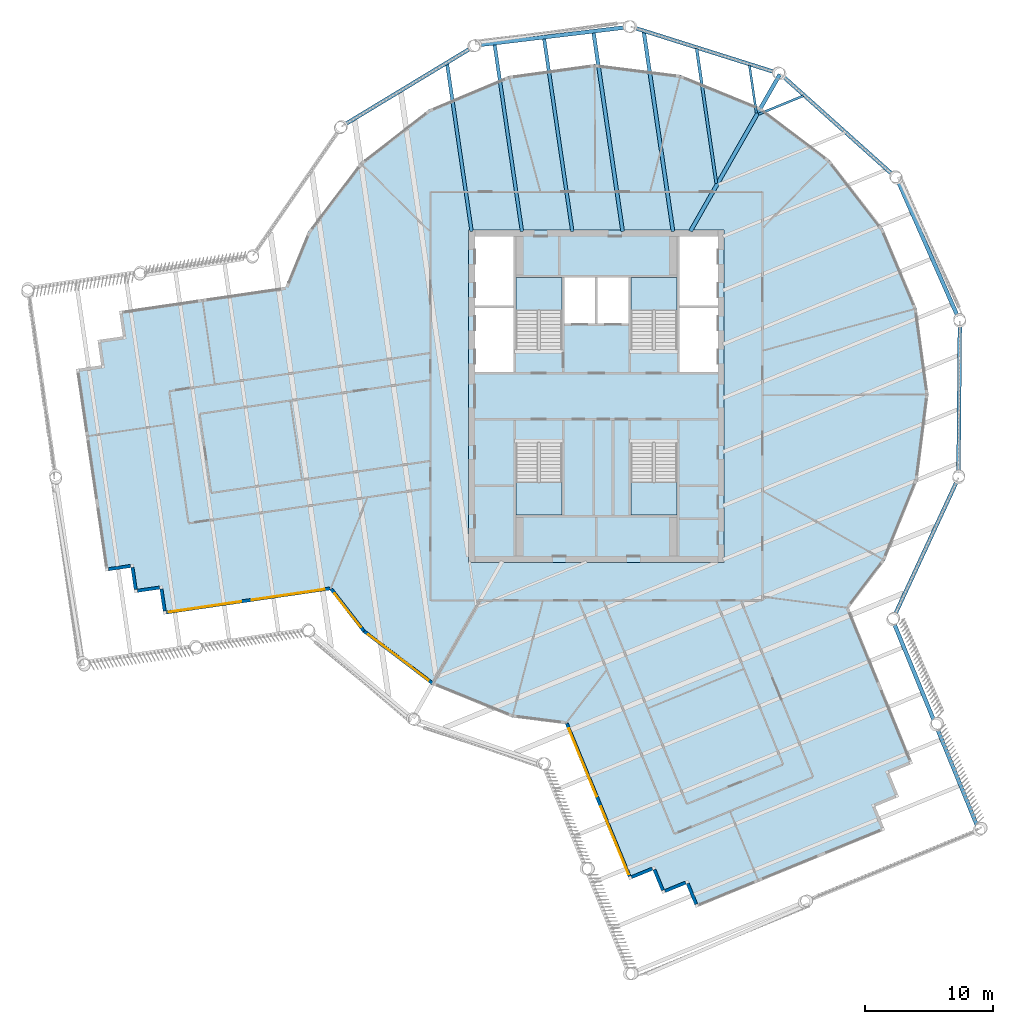
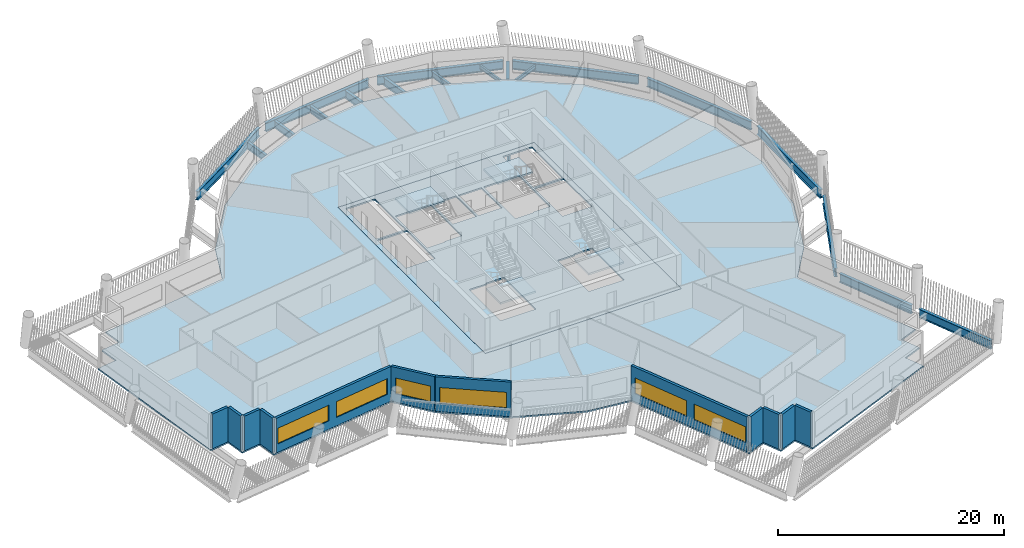
# One storey, part 2 of 15: 18 beams, 12 walls, 6 slabs, 6 windows, 6 openings, 4 elements without a shape of their own.
"""IFC4 building model written with IfcOpenShell, lengths in metres."""

from ifc_helpers import new_model, si_unit, direction, frame, frame_2d, origin, origin_2d, place, context, subcontext, project, spatial, polyline, rectangle, i_section, outline, extrude, material, layer, layer_set, material_profile, profile_set, type_object, element, fill, aggregate, save


model = new_model("IFC4")

# Units and contexts
model_context = context("Model", 3, precision=1e-05, world=origin(), true_north=direction((0.0, 1.0)))
body_context = subcontext(model_context, "Body", "Model", "MODEL_VIEW")
ifc_project = project(units=[si_unit("LENGTHUNIT", "METRE"), si_unit("AREAUNIT", "SQUARE_METRE"), si_unit("VOLUMEUNIT", "CUBIC_METRE"), si_unit("PLANEANGLEUNIT", "RADIAN"), si_unit("MASSUNIT", "GRAM", prefix="KILO")], contexts=[model_context])

# Site, building, storey
site_placement = place(None, origin())
site = spatial("IfcSite", under=ifc_project, at=site_placement, CompositionType="ELEMENT")
building_placement = place(site_placement, origin())
building = spatial("IfcBuilding", under=site, at=building_placement, Name="Tarsis Ring Headquarters", CompositionType="ELEMENT")
storey_placement = place(building_placement, frame((0.0, 0.0, 319.699951171875)))
storey = spatial("IfcBuildingStorey", under=building, at=storey_placement, Name="L75", CompositionType="ELEMENT", Elevation=319.699951171875)

# Beams
ifc_material_1 = material(Name="Structural steel S355", Category="steel")
ifc_material_profile_1 = material_profile(ifc_material_1, i_section(OverallWidth=0.177734375, OverallDepth=0.406494140625, WebThickness=0.0078125, FlangeThickness=0.0126953125, at=origin_2d()), Name="W16x40")
ifc_profile_set_1 = profile_set([ifc_material_profile_1], Name="Structural steel S355")
beam_type_1 = type_object("IfcBeamType", Name="FB Floor beam W16x40", PredefinedType="JOIST", material=ifc_profile_set_1)
beam_1_placement = place(storey_placement, frame((12.686767578125, 22.07177734375, -0.363037109375), z_axis=(0.925066917431, 0.379804157791, 0.0), x_axis=(-0.379804157791, 0.925066917431, 0.0)))
element("IfcBeam", 1, at=beam_1_placement, inside=storey, type_object=beam_type_1, Name="Floor beam FB1", PredefinedType="JOIST", context=body_context, shape_type="SweptSolid", body=[
    extrude(i_section(OverallWidth=0.177734375, OverallDepth=0.406494140625, WebThickness=0.0078125, FlangeThickness=0.0126953125, at=origin_2d()), origin(), (0.0, 0.0, 1.0), 3.805419921875),
])
beam_2_placement = place(storey_placement, frame((11.973876953125, 25.929443359375, -0.363037109375), z_axis=(0.144744025816, -0.989469133925, 0.0), x_axis=(0.989469133925, 0.144744025816, 0.0)))
element("IfcBeam", 2, at=beam_2_placement, inside=storey, type_object=beam_type_1, Name="Floor beam FB1", PredefinedType="JOIST", context=body_context, shape_type="SweptSolid", body=[
    extrude(i_section(OverallWidth=0.177734375, OverallDepth=0.406494140625, WebThickness=0.0078125, FlangeThickness=0.0126953125, at=origin_2d()), origin(), (0.0, 0.0, 1.0), 3.80517578125),
])
ifc_material_profile_2 = material_profile(ifc_material_1, i_section(OverallWidth=0.228271484375, OverallDepth=0.607177734375, WebThickness=0.01123046875, FlangeThickness=0.017333984375, at=origin_2d()), Name="W24x76")
ifc_profile_set_2 = profile_set([ifc_material_profile_2], Name="Structural steel S355")
beam_type_2 = type_object("IfcBeamType", Name="FB Floor beam W24x76", PredefinedType="JOIST", material=ifc_profile_set_2)
beam_3_placement = place(storey_placement, frame((7.841796875, 27.233154296875, -0.463623046875), z_axis=(0.144705878461, -0.989474713542, 0.0), x_axis=(0.989474713542, 0.144705878461, 0.0)))
element("IfcBeam", 3, at=beam_3_placement, inside=storey, type_object=beam_type_2, Name="Floor beam FB4", PredefinedType="JOIST", context=body_context, shape_type="SweptSolid", body=[
    extrude(i_section(OverallWidth=0.228271484375, OverallDepth=0.607177734375, WebThickness=0.01123046875, FlangeThickness=0.017333984375, at=origin_2d()), origin(), (0.0, 0.0, 1.0), 10.684814453125),
])
ifc_material_profile_3 = material_profile(ifc_material_1, i_section(OverallWidth=0.2666015625, OverallDepth=0.7568359375, WebThickness=0.013916015625, FlangeThickness=0.019287109375, at=origin_2d()), Name="W30x108")
ifc_profile_set_3 = profile_set([ifc_material_profile_3], Name="Structural steel S355")
beam_type_3 = type_object("IfcBeamType", Name="FB Floor beam W30x108", PredefinedType="JOIST", material=ifc_profile_set_3)
beam_4_placement = place(storey_placement, frame((-4.102294921875, 28.0517578125, -0.538330078125), z_axis=(0.144697521886, -0.989475935614, 0.0), x_axis=(0.989475935614, 0.144697521886, 0.0)))
element("IfcBeam", 4, at=beam_4_placement, inside=storey, type_object=beam_type_3, Name="Floor beam FB6", PredefinedType="JOIST", context=body_context, shape_type="SweptSolid", body=[
    extrude(i_section(OverallWidth=0.2666015625, OverallDepth=0.7568359375, WebThickness=0.013916015625, FlangeThickness=0.019287109375, at=origin_2d()), origin(), (0.0, 0.0, 1.0), 15.311767578125),
])
beam_5_placement = place(storey_placement, frame((-7.975830078125, 27.58740234375, -0.538330078125), z_axis=(0.144699806607, -0.989475601502, 0.0), x_axis=(0.989475601502, 0.144699806607, 0.0)))
element("IfcBeam", 5, at=beam_5_placement, inside=storey, type_object=beam_type_3, Name="Floor beam FB6", PredefinedType="JOIST", context=body_context, shape_type="SweptSolid", body=[
    extrude(i_section(OverallWidth=0.2666015625, OverallDepth=0.7568359375, WebThickness=0.013916015625, FlangeThickness=0.019287109375, at=origin_2d()), origin(), (0.0, 0.0, 1.0), 14.842529296875),
])
beam_6_placement = place(storey_placement, frame((-11.691162109375, 26.04150390625, -0.538330078125), z_axis=(0.144699529538, -0.98947564202, 0.0), x_axis=(0.98947564202, 0.144699529538, 0.0)))
element("IfcBeam", 6, at=beam_6_placement, inside=storey, type_object=beam_type_3, Name="Floor beam FB6", PredefinedType="JOIST", context=body_context, shape_type="SweptSolid", body=[
    extrude(i_section(OverallWidth=0.2666015625, OverallDepth=0.7568359375, WebThickness=0.013916015625, FlangeThickness=0.019287109375, at=origin_2d()), origin(), (0.0, 0.0, 1.0), 13.280029296875),
])
ifc_material_profile_4 = material_profile(ifc_material_1, i_section(OverallWidth=0.2919921875, OverallDepth=0.835693359375, WebThickness=0.013916015625, FlangeThickness=0.018798828125, at=origin_2d()), Name="W33x118")
ifc_profile_set_4 = profile_set([ifc_material_profile_4], Name="Structural steel S355")
beam_type_4 = type_object("IfcBeamType", Name="FB Floor beam W33x118", PredefinedType="JOIST", material=ifc_profile_set_4)
beam_7_placement = place(storey_placement, frame((3.709716796875, 28.53662109375, -0.577880859375), z_axis=(0.144706208561, -0.989474665266, 0.0), x_axis=(0.989474665266, 0.144706208561, 0.0)))
element("IfcBeam", 7, at=beam_7_placement, inside=storey, type_object=beam_type_4, Name="Floor beam FB7", PredefinedType="JOIST", context=body_context, shape_type="SweptSolid", body=[
    extrude(i_section(OverallWidth=0.2919921875, OverallDepth=0.835693359375, WebThickness=0.013916015625, FlangeThickness=0.018798828125, at=origin_2d()), origin(), (0.0, 0.0, 1.0), 15.8017578125),
])
beam_8_placement = place(storey_placement, frame((-0.228759765625, 28.515869140625, -0.577880859375), z_axis=(0.144712734778, -0.989473710814, 0.0), x_axis=(0.989473710814, 0.144712734778, 0.0)))
element("IfcBeam", 8, at=beam_8_placement, inside=storey, type_object=beam_type_4, Name="Floor beam FB7", PredefinedType="JOIST", context=body_context, shape_type="SweptSolid", body=[
    extrude(i_section(OverallWidth=0.2919921875, OverallDepth=0.835693359375, WebThickness=0.013916015625, FlangeThickness=0.018798828125, at=origin_2d()), origin(), (0.0, 0.0, 1.0), 15.78076171875),
])
ifc_material_profile_5 = material_profile(ifc_material_1, i_section(OverallWidth=0.309814453125, OverallDepth=0.949951171875, WebThickness=0.0244140625, FlangeThickness=0.0439453125, at=origin_2d()), Name="W36x256")
ifc_profile_set_5 = profile_set([ifc_material_profile_5], Name="Structural steel S355")
beam_type_5 = type_object("IfcBeamType", Name="FB Floor beam W36x256 spine", PredefinedType="BEAM", material=ifc_profile_set_5)
beam_9_placement = place(storey_placement, frame((14.3544921875, 25.1865234375, -0.635009765625), z_axis=(-0.495150344925, -0.868807306554, 0.0), x_axis=(0.868807306554, -0.495150344925, 0.0)))
element("IfcBeam", 9, at=beam_9_placement, inside=storey, type_object=beam_type_5, Name="Floor beam SB11", PredefinedType="BEAM", context=body_context, shape_type="SweptSolid", body=[
    extrude(i_section(OverallWidth=0.309814453125, OverallDepth=0.949951171875, WebThickness=0.0244140625, FlangeThickness=0.0439453125, at=origin_2d()), origin(), (0.0, 0.0, 1.0), 14.126708984375),
])
ifc_material_profile_6 = material_profile(ifc_material_1, i_section(OverallWidth=0.309814453125, OverallDepth=0.93212890625, WebThickness=0.02099609375, FlangeThickness=0.034423828125, at=origin_2d()), Name="W36x210")
ifc_profile_set_6 = profile_set([ifc_material_profile_6], Name="Structural steel S355")
beam_type_6 = type_object("IfcBeamType", Name="XG Ring girder W36x210", PredefinedType="BEAM", material=ifc_profile_set_6)
for number, where, z_axis, x_axis, name in (
    (10, (29.78076171875, -33.57080078125, -0.466064453125), (-0.379785116969, 0.92507473478, 0.0), (-0.92507473478, -0.379785116969, 0.0), "Ring girder XG3"),
    (11, (26.39990234375, -25.33544921875, -0.466064453125), (-0.379785116969, 0.92507473478, 0.0), (-0.92507473478, -0.379785116969, 0.0), "Ring girder XG3"),
):
    element("IfcBeam", number, at=place(storey_placement, frame(where, z_axis=z_axis, x_axis=x_axis)), inside=storey, type_object=beam_type_6, Name=name, PredefinedType="BEAM", context=body_context, shape_type="SweptSolid", body=[
        extrude(i_section(OverallWidth=0.309814453125, OverallDepth=0.93212890625, WebThickness=0.02099609375, FlangeThickness=0.034423828125, at=origin_2d()), origin(), (0.0, 0.0, 1.0), 8.033447265625),
    ])
for number, where, z_axis, x_axis, name in (
    (12, (23.36669921875, -17.10791015625, -0.466064453125), (0.420700925118, 0.907199389112, 0.0), (-0.907199389112, 0.420700925118, 0.0), "Ring girder XG3"),
    (13, (28.341064453125, -5.95556640625, -0.466064453125), (0.009353605947, 0.999956254071, 0.0), (-0.999956254071, 0.009353605947, 0.0), "Ring girder XG3"),
    (14, (28.2763671875, 6.255859375, -0.466064453125), (-0.403642847452, 0.914916636476, 0.0), (-0.914916636476, -0.403642847452, 0.0), "Ring girder XG3"),
):
    element("IfcBeam", number, at=place(storey_placement, frame(where, z_axis=z_axis, x_axis=x_axis)), inside=storey, type_object=beam_type_6, Name=name, PredefinedType="BEAM", context=body_context, shape_type="SweptSolid", body=[
        extrude(i_section(OverallWidth=0.309814453125, OverallDepth=0.93212890625, WebThickness=0.02099609375, FlangeThickness=0.034423828125, at=origin_2d()), origin(), (0.0, 0.0, 1.0), 11.380126953125),
    ])
beam_10_placement = place(storey_placement, frame((23.183837890625, 17.354736328125, -0.466064453125), z_axis=(-0.744869763885, 0.667209888154, 0.0), x_axis=(-0.667209888154, -0.744869763885, 0.0)))
element("IfcBeam", 15, at=beam_10_placement, inside=storey, type_object=beam_type_6, Name="Ring girder XG3", PredefinedType="BEAM", context=body_context, shape_type="SweptSolid", body=[
    extrude(i_section(OverallWidth=0.309814453125, OverallDepth=0.93212890625, WebThickness=0.02099609375, FlangeThickness=0.034423828125, at=origin_2d()), origin(), (0.0, 0.0, 1.0), 11.38037109375),
])
for number, where, z_axis, x_axis, name in (
    (16, (13.96923828125, 25.3681640625, -0.466064453125), (-0.953667576134, 0.300862350971, 0.0), (-0.300862350971, -0.953667576134, 0.0), "Ring girder XG3"),
    (17, (2.27099609375, 28.870849609375, -0.466064453125), (-0.992896721296, -0.118979413515, 0.0), (0.118979413515, -0.992896721296, 0.0), "Ring girder XG3"),
    (18, (-9.831298828125, 27.240234375, -0.466064453125), (-0.855580847574, -0.517669212205, 0.0), (0.517669212205, -0.855580847574, 0.0), "Ring girder XG3"),
):
    element("IfcBeam", number, at=place(storey_placement, frame(where, z_axis=z_axis, x_axis=x_axis)), inside=storey, type_object=beam_type_6, Name=name, PredefinedType="BEAM", context=body_context, shape_type="SweptSolid", body=[
        extrude(i_section(OverallWidth=0.309814453125, OverallDepth=0.93212890625, WebThickness=0.02099609375, FlangeThickness=0.034423828125, at=origin_2d()), origin(), (0.0, 0.0, 1.0), 11.380126953125),
    ])

# Slab
ifc_material_2 = material(Name="Concrete C40/50", Category="concrete")
ifc_layer_1 = layer(ifc_material_2, 0.159912109375)
ifc_layer_set_1 = layer_set([ifc_layer_1], Name="Core floor slab 160 C40/50")
slab_type_1 = type_object("IfcSlabType", Name="Core floor slab 160 C40/50", PredefinedType="FLOOR", material=ifc_layer_set_1)
slab_1_placement = place(storey_placement, frame((0.0, 0.0, -0.159912109375)))
element("IfcSlab", 19, at=slab_1_placement, inside=storey, type_object=slab_type_1, Name="L75 core floor slab", PredefinedType="FLOOR", context=body_context, shape_type="SweptSolid", body=[
    extrude(outline(polyline([(-10.0, -13.0), (10.0, -13.0), (10.0, 13.0), (-10.0, 13.0), (-10.0, -13.0)]), holes=[polyline([(-2.5, 5.699951171875), (-0.10009765625, 5.699951171875), (-0.10009765625, 9.300048828125), (-2.5, 9.300048828125), (-2.5, 5.699951171875)]), polyline([(0.10009765625, 5.699951171875), (2.5, 5.699951171875), (2.5, 9.300048828125), (0.10009765625, 9.300048828125), (0.10009765625, 5.699951171875)]), polyline([(-9.5, 1.89990234375), (-6.5, 1.89990234375), (-6.5, 6.89990234375), (-9.5, 6.89990234375), (-9.5, 1.89990234375)]), polyline([(-9.5, 7.10009765625), (-6.5, 7.10009765625), (-6.5, 12.5), (-9.5, 12.5), (-9.5, 7.10009765625)]), polyline([(6.5, 1.89990234375), (9.5, 1.89990234375), (9.5, 6.89990234375), (6.5, 6.89990234375), (6.5, 1.89990234375)]), polyline([(6.5, 7.10009765625), (9.5, 7.10009765625), (9.5, 12.5), (6.5, 12.5), (6.5, 7.10009765625)]), polyline([(-2.699951171875, 3.760009765625), (-2.699951171875, 9.300048828125), (-6.300048828125, 9.300048828125), (-6.300048828125, 3.659912109375), (-4.4599609375, 3.659912109375), (-4.4599609375, 3.760009765625), (-2.699951171875, 3.760009765625)]), polyline([(6.300048828125, 3.760009765625), (6.300048828125, 9.300048828125), (2.699951171875, 9.300048828125), (2.699951171875, 3.659912109375), (4.5400390625, 3.659912109375), (4.5400390625, 3.760009765625), (6.300048828125, 3.760009765625)]), polyline([(-6.300048828125, -3.760009765625), (-6.300048828125, -9.300048828125), (-2.699951171875, -9.300048828125), (-2.699951171875, -3.659912109375), (-4.5400390625, -3.659912109375), (-4.5400390625, -3.760009765625), (-6.300048828125, -3.760009765625)]), polyline([(2.699951171875, -3.760009765625), (2.699951171875, -9.300048828125), (6.300048828125, -9.300048828125), (6.300048828125, -3.659912109375), (4.4599609375, -3.659912109375), (4.4599609375, -3.760009765625), (2.699951171875, -3.760009765625)])]), origin(), (0.0, 0.0, 1.0), 0.159912109375),
])

# Stair, slab
ifc_material_3 = material(Name="Core stair 1760")
stair_type = type_object("IfcStairType", Name="Core stair 1760", PredefinedType="HALF_TURN_STAIR", material=ifc_material_3)
stair_1_placement = place(storey_placement, origin())
stair_1 = element("IfcStair", 20, at=stair_1_placement, inside=storey, type_object=stair_type, Name="L75 Firefighting stair", PredefinedType="HALF_TURN_STAIR")
ifc_layer_2 = layer(ifc_material_2, 0.199951171875)
ifc_layer_set_2 = layer_set([ifc_layer_2], Name="Core stair landing 200")
slab_type_2 = type_object("IfcSlabType", Name="Core stair landing 200", PredefinedType="LANDING", material=ifc_layer_set_2)
slab_2_placement = place(storey_placement, frame((0.0, 0.0, 1.75)))
slab_2 = element("IfcSlab", 21, at=slab_2_placement, type_object=slab_type_2, Name="Stair ST1 landing 1", PredefinedType="LANDING", context=body_context, shape_type="SweptSolid", body=[
    extrude(outline(polyline([(-2.699951171875, 6.739990234375), (-2.699951171875, 9.300048828125), (-6.300048828125, 9.300048828125), (-6.300048828125, 6.739990234375), (-2.699951171875, 6.739990234375)])), origin(), (0.0, 0.0, 1.0), 0.199951171875),
])
aggregate(stair_1, [slab_2])

stair_2_placement = place(storey_placement, origin())
stair_2 = element("IfcStair", 22, at=stair_2_placement, inside=storey, type_object=stair_type, Name="L75 Exit stair B", PredefinedType="HALF_TURN_STAIR")
slab_3_placement = place(storey_placement, frame((0.0, 0.0, 1.75)))
slab_3 = element("IfcSlab", 23, at=slab_3_placement, type_object=slab_type_2, Name="Stair ST2 landing 1", PredefinedType="LANDING", context=body_context, shape_type="SweptSolid", body=[
    extrude(outline(polyline([(6.300048828125, 6.739990234375), (6.300048828125, 9.300048828125), (2.699951171875, 9.300048828125), (2.699951171875, 6.739990234375), (6.300048828125, 6.739990234375)])), origin(), (0.0, 0.0, 1.0), 0.199951171875),
])
aggregate(stair_2, [slab_3])

stair_3_placement = place(storey_placement, origin())
stair_3 = element("IfcStair", 24, at=stair_3_placement, inside=storey, type_object=stair_type, Name="L75 Exit stair C", PredefinedType="HALF_TURN_STAIR")
slab_4_placement = place(storey_placement, frame((0.0, 0.0, 1.75)))
slab_4 = element("IfcSlab", 25, at=slab_4_placement, type_object=slab_type_2, Name="Stair ST3 landing 1", PredefinedType="LANDING", context=body_context, shape_type="SweptSolid", body=[
    extrude(outline(polyline([(-6.300048828125, -6.739990234375), (-6.300048828125, -9.300048828125), (-2.699951171875, -9.300048828125), (-2.699951171875, -6.739990234375), (-6.300048828125, -6.739990234375)])), origin(), (0.0, 0.0, 1.0), 0.199951171875),
])
aggregate(stair_3, [slab_4])

stair_4_placement = place(storey_placement, origin())
stair_4 = element("IfcStair", 26, at=stair_4_placement, inside=storey, type_object=stair_type, Name="L75 Exit stair D", PredefinedType="HALF_TURN_STAIR")
slab_5_placement = place(storey_placement, frame((0.0, 0.0, 1.75)))
slab_5 = element("IfcSlab", 27, at=slab_5_placement, type_object=slab_type_2, Name="Stair ST4 landing 1", PredefinedType="LANDING", context=body_context, shape_type="SweptSolid", body=[
    extrude(outline(polyline([(2.699951171875, -6.739990234375), (2.699951171875, -9.300048828125), (6.300048828125, -9.300048828125), (6.300048828125, -6.739990234375), (2.699951171875, -6.739990234375)])), origin(), (0.0, 0.0, 1.0), 0.199951171875),
])
aggregate(stair_4, [slab_5])

# Slab
ifc_material_4 = material(Name="Concrete C35/45", Category="concrete")
ifc_layer_3 = layer(ifc_material_4, 0.159912109375)
ifc_layer_set_3 = layer_set([ifc_layer_3], Name="FS Composite floor slab 160")
slab_type_3 = type_object("IfcSlabType", Name="FS Composite floor slab 160", PredefinedType="FLOOR", material=ifc_layer_set_3)
slab_6_placement = place(storey_placement, frame((0.0, 0.0, -0.159912109375)))
element("IfcSlab", 28, at=slab_6_placement, inside=storey, type_object=slab_type_3, Name="Floor slab L75", PredefinedType="FLOOR", context=body_context, shape_type="SweptSolid", body=[
    extrude(outline(polyline([(-20.851318359375, -15.177001953125), (-18.28173828125, -18.487060546875), (-12.8740234375, -22.5888671875), (-6.5888671875, -25.1513671875), (-2.431396484375, -25.675048828125), (2.571044921875, -37.860107421875), (4.42138671875, -37.1005859375), (5.180908203125, -38.95068359375), (7.031005859375, -38.191162109375), (7.79052734375, -40.041259765625), (22.591796875, -33.96484375), (21.832275390625, -32.11474609375), (23.682373046875, -31.355224609375), (22.9228515625, -29.5048828125), (24.77294921875, -28.745361328125), (19.7783203125, -16.579345703125), (22.5888671875, -12.8740234375), (25.1513671875, -6.5888671875), (25.99951171875, 0.145263671875), (25.076171875, 6.869384765625), (22.443603515625, 13.12548828125), (18.28173828125, 18.487060546875), (12.8740234375, 22.5888671875), (6.5888671875, 25.1513671875), (-0.145263671875, 25.99951171875), (-6.869384765625, 25.076171875), (-13.12548828125, 22.443603515625), (-18.487060546875, 18.28173828125), (-22.5888671875, 12.8740234375), (-24.3447265625, 8.5673828125), (-37.357421875, 6.66455078125), (-37.068115234375, 4.685546875), (-39.047119140625, 4.39599609375), (-38.757568359375, 2.417236328125), (-40.736572265625, 2.127685546875), (-38.42138671875, -13.703857421875), (-36.4423828125, -13.41455078125), (-36.153076171875, -15.393310546875), (-34.174072265625, -15.10400390625), (-33.884765625, -17.0830078125), (-20.851318359375, -15.177001953125)]), holes=[polyline([(-10.0, -13.0), (-10.0, 13.0), (10.0, 13.0), (10.0, -13.0), (-10.0, -13.0)])]), origin(), (0.0, 0.0, 1.0), 0.159912109375),
])

# Wall, openings, windows
ifc_material_5 = material(Name="Terracotta clad insulated panel wall", Category="masonry")
ifc_layer_4 = layer(ifc_material_5, 0.25)
ifc_layer_set_4 = layer_set([ifc_layer_4], Name="Facade wall terracotta panel 250")
wall_type = type_object("IfcWallType", Name="Facade wall terracotta panel 250", PredefinedType="STANDARD", material=ifc_layer_set_4)
wall_1_placement = place(storey_placement, frame((-33.655517578125, -16.923095703125, 0.0), z_axis=(0.0, 0.0, 1.0), x_axis=(0.989475122089, 0.144703084856, 0.0)))
wall_1 = element("IfcWall", 29, at=wall_1_placement, inside=storey, type_object=wall_type, Name="External wall L75-01", PredefinedType="STANDARD", context=body_context, shape_type="SweptSolid", body=[
    extrude(rectangle(XDim=12.922119140625, YDim=0.25, at=frame_2d((6.4609375, 0.0))), origin(), (0.0, 0.0, 1.0), 3.739990234375),
])
opening_1_placement = place(wall_1_placement, frame((0.16796875, 0.0, 0.89990234375)))
opening_1 = element("IfcOpeningElement", 30, at=opening_1_placement, cuts=wall_1, Name="Opening WN06", PredefinedType="OPENING", context=body_context, shape_type="SweptSolid", body=[
    extrude(rectangle(XDim=5.75, YDim=1.699951171875, at=frame_2d((2.875, 0.85009765625))), frame((0.0, 0.135009765625, 0.0), z_axis=(0.0, -1.0, 0.0), x_axis=(1.0, 0.0, 0.0)), (0.0, 0.0, 1.0), 0.27001953125),
])
opening_2_placement = place(wall_1_placement, frame((6.75390625, 0.0, 0.89990234375)))
opening_2 = element("IfcOpeningElement", 31, at=opening_2_placement, cuts=wall_1, Name="Opening WN06", PredefinedType="OPENING", context=body_context, shape_type="SweptSolid", body=[
    extrude(rectangle(XDim=5.75, YDim=1.699951171875, at=frame_2d((2.875, 0.85009765625))), frame((0.0, 0.135009765625, 0.0), z_axis=(0.0, -1.0, 0.0), x_axis=(1.0, 0.0, 0.0)), (0.0, 0.0, 1.0), 0.27001953125),
])
ifc_material_6 = material(Name="Aluminium framed double glazing", Category="aluminium")
window_type_1 = type_object("IfcWindowType", Name="Facade window 5750 x 1700", PartitioningType="SINGLE_PANEL", PredefinedType="WINDOW", material=ifc_material_6)
window_1_placement = place(opening_1_placement, origin())
window_1 = element("IfcWindow", 32, at=window_1_placement, inside=storey, type_object=window_type_1, Name="Window L75-01.1", OverallHeight=1.699951171875, OverallWidth=5.75, PartitioningType="SINGLE_PANEL", PredefinedType="WINDOW", context=body_context, shape_type="SweptSolid", body=[
    extrude(rectangle(XDim=5.75, YDim=1.699951171875, at=frame_2d((2.875, 0.85009765625))), frame((0.0, 0.030029296875, 0.0), z_axis=(0.0, -1.0, 0.0), x_axis=(1.0, 0.0, 0.0)), (0.0, 0.0, 1.0), 0.06005859375),
])
fill(opening_1, window_1)
window_2_placement = place(opening_2_placement, origin())
window_2 = element("IfcWindow", 33, at=window_2_placement, inside=storey, type_object=window_type_1, Name="Window L75-01.2", OverallHeight=1.699951171875, OverallWidth=5.75, PartitioningType="SINGLE_PANEL", PredefinedType="WINDOW", context=body_context, shape_type="SweptSolid", body=[
    extrude(rectangle(XDim=5.75, YDim=1.699951171875, at=frame_2d((2.875, 0.85009765625))), frame((0.0, 0.030029296875, 0.0), z_axis=(0.0, -1.0, 0.0), x_axis=(1.0, 0.0, 0.0)), (0.0, 0.0, 1.0), 0.06005859375),
])
fill(opening_2, window_2)

# Wall, opening, window
wall_2_placement = place(storey_placement, frame((-20.752685546875, -15.100341796875, 0.0), z_axis=(0.0, 0.0, 1.0), x_axis=(0.613184161988, -0.789939987269, 0.0)))
wall_2 = element("IfcWall", 34, at=wall_2_placement, inside=storey, type_object=wall_type, Name="External wall L75-02", PredefinedType="STANDARD", context=body_context, shape_type="SweptSolid", body=[
    extrude(rectangle(XDim=4.157470703125, YDim=0.25, at=frame_2d((2.07861328125, 0.0))), origin(), (0.0, 0.0, 1.0), 3.739990234375),
])
opening_3_placement = place(wall_2_placement, frame((0.420166015625, 0.0, 0.89990234375)))
opening_3 = element("IfcOpeningElement", 35, at=opening_3_placement, cuts=wall_2, Name="Opening WN01", PredefinedType="OPENING", context=body_context, shape_type="SweptSolid", body=[
    extrude(rectangle(XDim=3.35009765625, YDim=1.699951171875, at=frame_2d((1.675048828125, 0.85009765625))), frame((0.0, 0.135009765625, 0.0), z_axis=(0.0, -1.0, 0.0), x_axis=(1.0, 0.0, 0.0)), (0.0, 0.0, 1.0), 0.27001953125),
])
window_type_2 = type_object("IfcWindowType", Name="Facade window 3350 x 1700", PartitioningType="SINGLE_PANEL", PredefinedType="WINDOW", material=ifc_material_6)
window_3_placement = place(opening_3_placement, origin())
window_3 = element("IfcWindow", 36, at=window_3_placement, inside=storey, type_object=window_type_2, Name="Window L75-02.1", OverallHeight=1.699951171875, OverallWidth=3.35009765625, PartitioningType="SINGLE_PANEL", PredefinedType="WINDOW", context=body_context, shape_type="SweptSolid", body=[
    extrude(rectangle(XDim=3.35009765625, YDim=1.699951171875, at=frame_2d((1.675048828125, 0.85009765625))), frame((0.0, 0.030029296875, 0.0), z_axis=(0.0, -1.0, 0.0), x_axis=(1.0, 0.0, 0.0)), (0.0, 0.0, 1.0), 0.06005859375),
])
fill(opening_3, window_3)

wall_3_placement = place(storey_placement, frame((-18.179931640625, -18.407470703125, 0.0), z_axis=(0.0, 0.0, 1.0), x_axis=(0.796732279136, -0.604332421257, 0.0)))
wall_3 = element("IfcWall", 37, at=wall_3_placement, inside=storey, type_object=wall_type, Name="External wall L75-03", PredefinedType="STANDARD", context=body_context, shape_type="SweptSolid", body=[
    extrude(rectangle(XDim=6.721435546875, YDim=0.25, at=frame_2d((3.36083984375, 0.0))), origin(), (0.0, 0.0, 1.0), 3.739990234375),
])
opening_4_placement = place(wall_3_placement, frame((0.3857421875, 0.0, 0.89990234375)))
opening_4 = element("IfcOpeningElement", 38, at=opening_4_placement, cuts=wall_3, Name="Opening WN07", PredefinedType="OPENING", context=body_context, shape_type="SweptSolid", body=[
    extrude(rectangle(XDim=5.949951171875, YDim=1.699951171875, at=frame_2d((2.97509765625, 0.85009765625))), frame((0.0, 0.135009765625, 0.0), z_axis=(0.0, -1.0, 0.0), x_axis=(1.0, 0.0, 0.0)), (0.0, 0.0, 1.0), 0.27001953125),
])
window_type_3 = type_object("IfcWindowType", Name="Facade window 5950 x 1700", PartitioningType="SINGLE_PANEL", PredefinedType="WINDOW", material=ifc_material_6)
window_4_placement = place(opening_4_placement, origin())
window_4 = element("IfcWindow", 39, at=window_4_placement, inside=storey, type_object=window_type_3, Name="Window L75-03.1", OverallHeight=1.699951171875, OverallWidth=5.949951171875, PartitioningType="SINGLE_PANEL", PredefinedType="WINDOW", context=body_context, shape_type="SweptSolid", body=[
    extrude(rectangle(XDim=5.949951171875, YDim=1.699951171875, at=frame_2d((2.97509765625, 0.85009765625))), frame((0.0, 0.030029296875, 0.0), z_axis=(0.0, -1.0, 0.0), x_axis=(1.0, 0.0, 0.0)), (0.0, 0.0, 1.0), 0.06005859375),
])
fill(opening_4, window_4)

# Wall, openings, windows
wall_4_placement = place(storey_placement, frame((-2.315673828125, -25.62744140625, 0.0), z_axis=(0.0, 0.0, 1.0), x_axis=(0.379776527682, -0.925078261026, 0.0)))
wall_4 = element("IfcWall", 40, at=wall_4_placement, inside=storey, type_object=wall_type, Name="External wall L75-06", PredefinedType="STANDARD", context=body_context, shape_type="SweptSolid", body=[
    extrude(rectangle(XDim=12.921875, YDim=0.25, at=frame_2d((6.4609375, 0.0))), origin(), (0.0, 0.0, 1.0), 3.739990234375),
])
opening_5_placement = place(wall_4_placement, frame((0.41796875, 0.0, 0.89990234375)))
opening_5 = element("IfcOpeningElement", 41, at=opening_5_placement, cuts=wall_4, Name="Opening WN06", PredefinedType="OPENING", context=body_context, shape_type="SweptSolid", body=[
    extrude(rectangle(XDim=5.75, YDim=1.699951171875, at=frame_2d((2.875, 0.85009765625))), frame((0.0, 0.135009765625, 0.0), z_axis=(0.0, -1.0, 0.0), x_axis=(1.0, 0.0, 0.0)), (0.0, 0.0, 1.0), 0.27001953125),
])
opening_6_placement = place(wall_4_placement, frame((7.00390625, 0.0, 0.89990234375)))
opening_6 = element("IfcOpeningElement", 42, at=opening_6_placement, cuts=wall_4, Name="Opening WN06", PredefinedType="OPENING", context=body_context, shape_type="SweptSolid", body=[
    extrude(rectangle(XDim=5.75, YDim=1.699951171875, at=frame_2d((2.875, 0.85009765625))), frame((0.0, 0.135009765625, 0.0), z_axis=(0.0, -1.0, 0.0), x_axis=(1.0, 0.0, 0.0)), (0.0, 0.0, 1.0), 0.27001953125),
])
window_5_placement = place(opening_5_placement, origin())
window_5 = element("IfcWindow", 43, at=window_5_placement, inside=storey, type_object=window_type_1, Name="Window L75-06.1", OverallHeight=1.699951171875, OverallWidth=5.75, PartitioningType="SINGLE_PANEL", PredefinedType="WINDOW", context=body_context, shape_type="SweptSolid", body=[
    extrude(rectangle(XDim=5.75, YDim=1.699951171875, at=frame_2d((2.875, 0.85009765625))), frame((0.0, 0.030029296875, 0.0), z_axis=(0.0, -1.0, 0.0), x_axis=(1.0, 0.0, 0.0)), (0.0, 0.0, 1.0), 0.06005859375),
])
fill(opening_5, window_5)
window_6_placement = place(opening_6_placement, origin())
window_6 = element("IfcWindow", 44, at=window_6_placement, inside=storey, type_object=window_type_1, Name="Window L75-06.2", OverallHeight=1.699951171875, OverallWidth=5.75, PartitioningType="SINGLE_PANEL", PredefinedType="WINDOW", context=body_context, shape_type="SweptSolid", body=[
    extrude(rectangle(XDim=5.75, YDim=1.699951171875, at=frame_2d((2.875, 0.85009765625))), frame((0.0, 0.030029296875, 0.0), z_axis=(0.0, -1.0, 0.0), x_axis=(1.0, 0.0, 0.0)), (0.0, 0.0, 1.0), 0.06005859375),
])
fill(opening_6, window_6)

# Walls
for number, where, z_axis, x_axis, name in (
    (45, (2.7548828125, -37.649658203125, 0.0), (0.0, 0.0, 1.0), (0.925041703335, 0.379865564497, 0.0), "External wall L75-07"),
    (46, (4.536865234375, -37.052978515625, 0.0), (0.0, 0.0, 1.0), (0.379746182339, -0.925090718254, 0.0), "External wall L75-08"),
):
    element("IfcWall", number, at=place(storey_placement, frame(where, z_axis=z_axis, x_axis=x_axis)), inside=storey, type_object=wall_type, Name=name, PredefinedType="STANDARD", context=body_context, shape_type="SweptSolid", body=[
        extrude(rectangle(XDim=1.75, YDim=0.25, at=frame_2d((0.875, 0.0))), origin(), (0.0, 0.0, 1.0), 3.739990234375),
    ])
wall_5_placement = place(storey_placement, frame((5.36474609375, -38.740234375, 0.0), z_axis=(0.0, 0.0, 1.0), x_axis=(0.925021569514, 0.379914590315, 0.0)))
element("IfcWall", 47, at=wall_5_placement, inside=storey, type_object=wall_type, Name="External wall L75-09", PredefinedType="STANDARD", context=body_context, shape_type="SweptSolid", body=[
    extrude(rectangle(XDim=1.749755859375, YDim=0.25, at=frame_2d((0.875, 0.0))), origin(), (0.0, 0.0, 1.0), 3.739990234375),
])
for number, where, z_axis, x_axis, name in (
    (48, (7.146728515625, -38.143798828125, 0.0), (0.0, 0.0, 1.0), (0.379746182339, -0.925090718254, 0.0), "External wall L75-10"),
    (49, (-38.192138671875, -13.5439453125, 0.0), (0.0, 0.0, 1.0), (0.989481041465, 0.144662602566, 0.0), "External wall L75-37"),
    (50, (-36.31884765625, -13.396484375, 0.0), (0.0, 0.0, 1.0), (0.1448191692, -0.989458138696, 0.0), "External wall L75-38"),
):
    element("IfcWall", number, at=place(storey_placement, frame(where, z_axis=z_axis, x_axis=x_axis)), inside=storey, type_object=wall_type, Name=name, PredefinedType="STANDARD", context=body_context, shape_type="SweptSolid", body=[
        extrude(rectangle(XDim=1.75, YDim=0.25, at=frame_2d((0.875, 0.0))), origin(), (0.0, 0.0, 1.0), 3.739990234375),
    ])
wall_6_placement = place(storey_placement, frame((-35.923828125, -15.233642578125, 0.0), z_axis=(0.0, 0.0, 1.0), x_axis=(0.989461064134, 0.144799180117, 0.0)))
element("IfcWall", 51, at=wall_6_placement, inside=storey, type_object=wall_type, Name="External wall L75-39", PredefinedType="STANDARD", context=body_context, shape_type="SweptSolid", body=[
    extrude(rectangle(XDim=1.750244140625, YDim=0.25, at=frame_2d((0.875, 0.0))), origin(), (0.0, 0.0, 1.0), 3.739990234375),
])
wall_7_placement = place(storey_placement, frame((-34.05029296875, -15.0859375, 0.0), z_axis=(0.0, 0.0, 1.0), x_axis=(0.144662602566, -0.989481041465, 0.0)))
element("IfcWall", 52, at=wall_7_placement, inside=storey, type_object=wall_type, Name="External wall L75-40", PredefinedType="STANDARD", context=body_context, shape_type="SweptSolid", body=[
    extrude(rectangle(XDim=1.75, YDim=0.25, at=frame_2d((0.875, 0.0))), origin(), (0.0, 0.0, 1.0), 3.739990234375),
])

save(model, "model.ifc")
